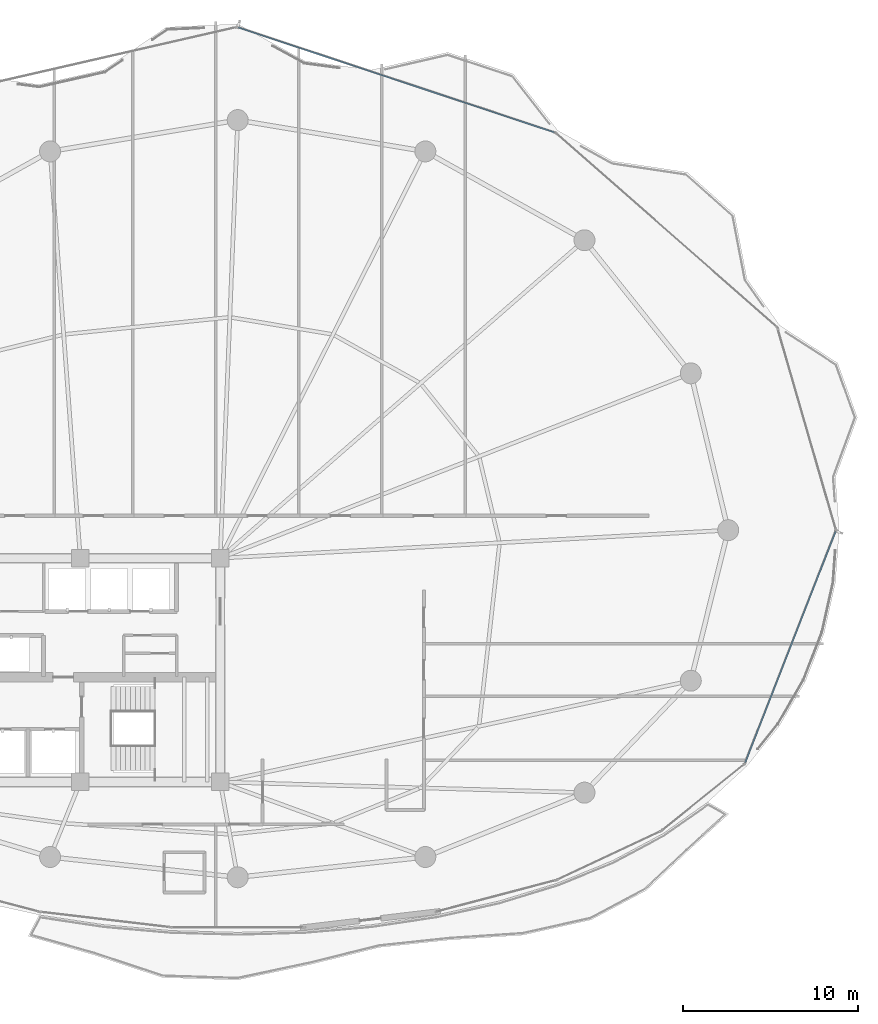
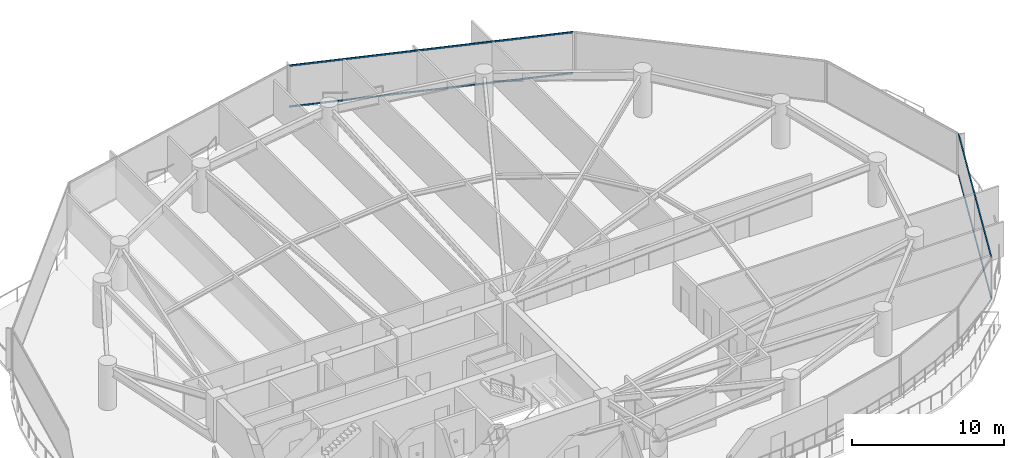
# One storey, part 23 of 34: 4 members, 2 elements without a shape of their own.
"""IFC4 building model written with IfcOpenShell, lengths in metres."""

from ifc_helpers import new_model, si_unit, direction, frame, origin, origin_2d, place, context, subcontext, project, spatial, hollow_rectangle, extrude, material, layer, layer_set, material_profile, profile_set, type_object, element, aggregate, save


model = new_model("IFC4")

# Units and contexts
model_context = context("Model", 3, precision=1e-05, world=origin(), true_north=direction((0.0, 1.0)))
body_context = subcontext(model_context, "Body", "Model", "MODEL_VIEW")
ifc_project = project(units=[si_unit("LENGTHUNIT", "METRE"), si_unit("AREAUNIT", "SQUARE_METRE"), si_unit("VOLUMEUNIT", "CUBIC_METRE"), si_unit("PLANEANGLEUNIT", "RADIAN"), si_unit("MASSUNIT", "GRAM", prefix="KILO")], contexts=[model_context])

# Site, building, storey
site_placement = place(None, origin())
site = spatial("IfcSite", under=ifc_project, at=site_placement, CompositionType="ELEMENT")
building_placement = place(site_placement, origin())
building = spatial("IfcBuilding", under=site, at=building_placement, Name="Kazevale Care Tower and Concert Hall", CompositionType="ELEMENT")
storey_placement = place(building_placement, frame((0.0, 0.0, 174.60009765625)))
storey = spatial("IfcBuildingStorey", under=building, at=storey_placement, Name="L46", CompositionType="ELEMENT", Elevation=174.60009765625)

# Curtain wall, members
ifc_material_1 = material(Name="Aluminium 6063-T6 and Low-E Glass", Category="aluminium")
ifc_layer_1 = layer(ifc_material_1, 0.179931640625)
ifc_layer_set_1 = layer_set([ifc_layer_1], Name="Aluminium 6063-T6 and Low-E Glass")
curtain_wall_type_1 = type_object("IfcCurtainWallType", Name="Convex Checkerboard Finned Curtain Wall CW-2", PredefinedType="NOTDEFINED", material=ifc_layer_set_1)
curtain_wall_1_placement = place(storey_placement, origin())
curtain_wall_1 = element("IfcCurtainWall", 1, at=curtain_wall_1_placement, inside=storey, type_object=curtain_wall_type_1, Name="cw:L46:f16", PredefinedType="NOTDEFINED")
ifc_material_2 = material(Name="Aluminium 6063-T6", Category="aluminium")
ifc_material_profile_1 = material_profile(ifc_material_2, hollow_rectangle(XDim=0.074951171875, YDim=0.1201171875, WallThickness=0.00390625, at=origin_2d()), Name="ALU75x120x4")
ifc_profile_set_1 = profile_set([ifc_material_profile_1], Name="Aluminium 6063-T6")
member_type_1 = type_object("IfcMemberType", Name="CW-2 Transom ALU75x120x4", PredefinedType="USERDEFINED", material=ifc_profile_set_1)
member_1_placement = place(storey_placement, frame((45.033935546875, 66.742919921875, 0.037353515625), z_axis=(0.949132363683, -0.314877366938, 0.0), x_axis=(0.314877366938, 0.949132363683, 0.0)))
member_1 = element("IfcMember", 2, at=member_1_placement, type_object=member_type_1, Name="CW-2 transom 1.1", ObjectType="TRANSOM", PredefinedType="USERDEFINED", context=body_context, shape_type="SweptSolid", body=[
    extrude(hollow_rectangle(XDim=0.074951171875, YDim=0.1201171875, WallThickness=0.00390625, at=origin_2d()), origin(), (0.0, 0.0, 1.0), 19.041748046875),
])
member_2_placement = place(storey_placement, frame((45.033935546875, 66.742919921875, 3.322509765625), z_axis=(0.949132363683, -0.314877366938, 0.0), x_axis=(0.314877366938, 0.949132363683, 0.0)))
member_2 = element("IfcMember", 3, at=member_2_placement, type_object=member_type_1, Name="CW-2 transom 1.2", ObjectType="TRANSOM", PredefinedType="USERDEFINED", context=body_context, shape_type="SweptSolid", body=[
    extrude(hollow_rectangle(XDim=0.074951171875, YDim=0.1201171875, WallThickness=0.00390625, at=origin_2d()), origin(), (0.0, 0.0, 1.0), 19.041748046875),
])
aggregate(curtain_wall_1, [member_1, member_2])

ifc_layer_2 = layer(ifc_material_1, 0.179931640625)
ifc_layer_set_2 = layer_set([ifc_layer_2], Name="Aluminium 6063-T6 and Low-E Glass")
curtain_wall_type_2 = type_object("IfcCurtainWallType", Name="Waist & Upper Residential Curtain Wall CW-4", PredefinedType="NOTDEFINED", material=ifc_layer_set_2)
curtain_wall_2_placement = place(storey_placement, origin())
curtain_wall_2 = element("IfcCurtainWall", 4, at=curtain_wall_2_placement, inside=storey, type_object=curtain_wall_type_2, Name="cw:L46:f01", PredefinedType="NOTDEFINED")
ifc_material_profile_2 = material_profile(ifc_material_2, hollow_rectangle(XDim=0.080078125, YDim=0.139892578125, WallThickness=0.00390625, at=origin_2d()), Name="ALU80x140x4")
ifc_profile_set_2 = profile_set([ifc_material_profile_2], Name="Aluminium 6063-T6")
member_type_2 = type_object("IfcMemberType", Name="CW-4 Transom ALU80x140x4", PredefinedType="USERDEFINED", material=ifc_profile_set_2)
member_3_placement = place(storey_placement, frame((79.19091796875, 37.925537109375, 0.039794921875), z_axis=(-0.364119027629, -0.931352421868, 0.0), x_axis=(0.931352421868, -0.364119027629, 0.0)))
member_3 = element("IfcMember", 5, at=member_3_placement, type_object=member_type_2, Name="CW-4 transom 1.1", ObjectType="TRANSOM", PredefinedType="USERDEFINED", context=body_context, shape_type="SweptSolid", body=[
    extrude(hollow_rectangle(XDim=0.080078125, YDim=0.139892578125, WallThickness=0.00390625, at=origin_2d()), origin(), (0.0, 0.0, 1.0), 14.18701171875),
])
member_4_placement = place(storey_placement, frame((79.19091796875, 37.925537109375, 3.31982421875), z_axis=(-0.364119027629, -0.931352421868, 0.0), x_axis=(0.931352421868, -0.364119027629, 0.0)))
member_4 = element("IfcMember", 6, at=member_4_placement, type_object=member_type_2, Name="CW-4 transom 1.2", ObjectType="TRANSOM", PredefinedType="USERDEFINED", context=body_context, shape_type="SweptSolid", body=[
    extrude(hollow_rectangle(XDim=0.080078125, YDim=0.139892578125, WallThickness=0.00390625, at=origin_2d()), origin(), (0.0, 0.0, 1.0), 14.18701171875),
])
aggregate(curtain_wall_2, [member_3, member_4])

save(model, "model.ifc")
